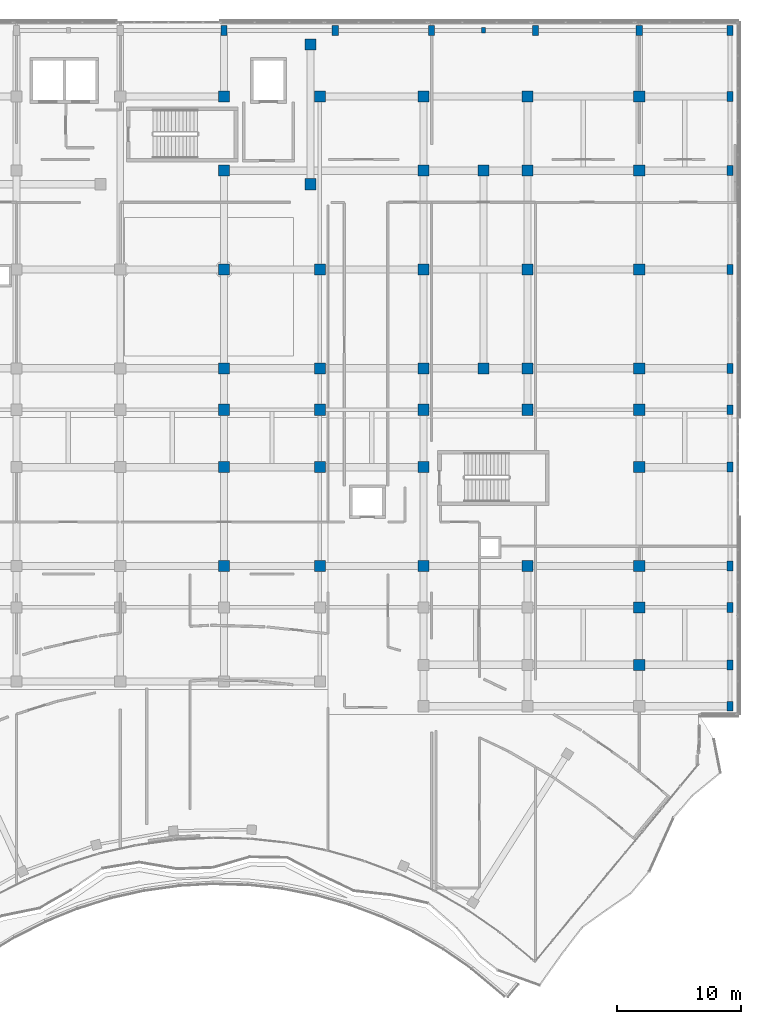
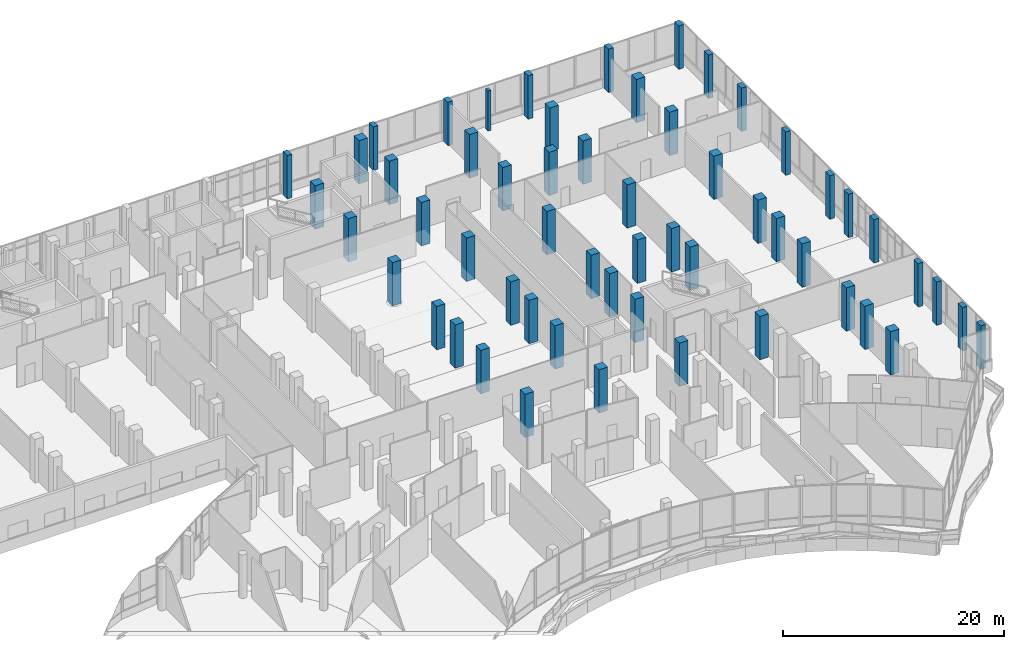
# One storey, part 12 of 168: 56 columns.
"""IFC4 building model written with IfcOpenShell, lengths in metres."""

from ifc_helpers import new_model, si_unit, direction, frame, origin, origin_2d, place, context, subcontext, project, spatial, rectangle, extrude, material, material_profile, profile_set, type_object, element, save


model = new_model("IFC4")

# Units and contexts
model_context = context("Model", 3, precision=1e-05, world=origin(), true_north=direction((0.0, 1.0)))
body_context = subcontext(model_context, "Body", "Model", "MODEL_VIEW")
ifc_project = project(units=[si_unit("LENGTHUNIT", "METRE"), si_unit("AREAUNIT", "SQUARE_METRE"), si_unit("VOLUMEUNIT", "CUBIC_METRE"), si_unit("PLANEANGLEUNIT", "RADIAN"), si_unit("MASSUNIT", "GRAM", prefix="KILO")], contexts=[model_context])

# Site, building, storey
site_placement = place(None, origin())
site = spatial("IfcSite", under=ifc_project, at=site_placement, CompositionType="ELEMENT")
building_placement = place(site_placement, origin())
building = spatial("IfcBuilding", under=site, at=building_placement, Name="Selatvlak General Hospital", CompositionType="ELEMENT")
storey_placement = place(building_placement, frame((0.0, 0.0, 5.39990234375)))
storey = spatial("IfcBuildingStorey", under=building, at=storey_placement, Name="L01", CompositionType="ELEMENT", Elevation=5.39990234375)

# Columns
ifc_material_1 = material(Name="Concrete C40/50", Category="concrete")
ifc_material_profile_1 = material_profile(ifc_material_1, rectangle(XDim=0.300048828125, YDim=0.449951171875, at=origin_2d()), Name="RC-PIL 450x300")
ifc_profile_set_1 = profile_set([ifc_material_profile_1], Name="Concrete C40/50")
column_type_1 = type_object("IfcColumnType", Name="COL-PIL45", PredefinedType="PILASTER", material=ifc_profile_set_1)
column_placement = place(storey_placement, frame((161.39990234375, 119.35009765625, 0.0), z_axis=(0.0, 0.0, 1.0), x_axis=(1.0, 0.0, 0.0)))
element("IfcColumn", 1, at=column_placement, inside=storey, type_object=column_type_1, Name="Inboard core pilaster 6 on L01", PredefinedType="PILASTER", context=body_context, shape_type="SweptSolid", body=[
    extrude(rectangle(XDim=0.300048828125, YDim=0.449951171875, at=origin_2d()), origin(), (0.0, 0.0, 1.0), 4.445068359375),
])
ifc_material_2 = material(Name="Concrete C50/60", Category="concrete")
ifc_material_profile_2 = material_profile(ifc_material_2, rectangle(XDim=0.5, YDim=0.800048828125, at=origin_2d()), Name="RC-COL 800x500")
ifc_profile_set_2 = profile_set([ifc_material_profile_2], Name="Concrete C50/60")
column_type_2 = type_object("IfcColumnType", Name="COL-RC85", PredefinedType="COLUMN", material=ifc_profile_set_2)
for number, where, z_axis, x_axis, name in (
    (2, (149.39990234375, 119.35009765625, 0.0), (0.0, 0.0, 1.0), (1.0, 0.0, 0.0), "Column 122 on L01"),
    (3, (157.199951171875, 119.35009765625, 0.0), (0.0, 0.0, 1.0), (1.0, 0.0, 0.0), "Column 123 on L01"),
    (4, (165.60009765625, 119.35009765625, 0.0), (0.0, 0.0, 1.0), (1.0, 0.0, 0.0), "Column 124 on L01"),
    (5, (174.0, 119.35009765625, 0.0), (0.0, 0.0, 1.0), (1.0, 0.0, 0.0), "Column 125 on L01"),
    (6, (181.35009765625, 119.35009765625, 0.0), (0.0, 0.0, 1.0), (1.0, 0.0, 0.0), "Column 126 on L01"),
    (7, (140.39990234375, 119.35009765625, 0.0), (0.0, 0.0, 1.0), (1.0, 0.0, 0.0), "Column 264 on L01"),
    (8, (181.35009765625, 64.64990234375, 0.0), (0.0, 0.0, 1.0), (1.0, 0.0, 0.0), "Column 304 on L01"),
    (9, (181.35009765625, 68.0, 0.0), (0.0, 0.0, 1.0), (1.0, 0.0, 0.0), "Column 305 on L01"),
    (10, (181.35009765625, 72.64990234375, 0.0), (0.0, 0.0, 1.0), (1.0, 0.0, 0.0), "Column 306 on L01"),
    (11, (181.35009765625, 76.0, 0.0), (0.0, 0.0, 1.0), (1.0, 0.0, 0.0), "Column 307 on L01"),
    (12, (181.35009765625, 84.0, 0.0), (0.0, 0.0, 1.0), (1.0, 0.0, 0.0), "Column 308 on L01"),
    (13, (181.35009765625, 88.64990234375, 0.0), (0.0, 0.0, 1.0), (1.0, 0.0, 0.0), "Column 309 on L01"),
    (14, (181.35009765625, 92.0, 0.0), (0.0, 0.0, 1.0), (1.0, 0.0, 0.0), "Column 310 on L01"),
    (15, (181.35009765625, 100.0, 0.0), (0.0, 0.0, 1.0), (1.0, 0.0, 0.0), "Column 311 on L01"),
    (16, (181.35009765625, 108.0, 0.0), (0.0, 0.0, 1.0), (1.0, 0.0, 0.0), "Column 312 on L01"),
    (17, (181.35009765625, 114.0, 0.0), (0.0, 0.0, 1.0), (1.0, 0.0, 0.0), "Column 313 on L01"),
):
    element("IfcColumn", number, at=place(storey_placement, frame(where, z_axis=z_axis, x_axis=x_axis)), inside=storey, type_object=column_type_2, Name=name, PredefinedType="COLUMN", context=body_context, shape_type="SweptSolid", body=[
        extrude(rectangle(XDim=0.5, YDim=0.800048828125, at=origin_2d()), origin(), (0.0, 0.0, 1.0), 4.800048828125),
    ])
ifc_material_profile_3 = material_profile(ifc_material_2, rectangle(XDim=0.89990234375, YDim=0.89990234375, at=origin_2d()), Name="RC-COL 900x900")
ifc_profile_set_3 = profile_set([ifc_material_profile_3], Name="Concrete C50/60")
column_type_3 = type_object("IfcColumnType", Name="COL-RC90", PredefinedType="COLUMN", material=ifc_profile_set_3)
for number, where, z_axis, x_axis, name in (
    (18, (147.39990234375, 106.89990234375, 0.0), (0.0, 0.0, 1.0), (1.0, 0.0, 0.0), "Column 056 on L01"),
    (19, (147.39990234375, 118.199951171875, 0.0), (0.0, 0.0, 1.0), (1.0, 0.0, 0.0), "Column 059 on L01"),
    (20, (161.39990234375, 92.0, 0.0), (0.0, 0.0, 1.0), (1.0, 0.0, 0.0), "Column 113 on L01"),
    (21, (161.39990234375, 108.0, 0.0), (0.0, 0.0, 1.0), (1.0, 0.0, 0.0), "Column 114 on L01"),
    (22, (140.39990234375, 76.0, 0.0), (0.0, 0.0, 1.0), (1.0, 0.0, 0.0), "Column 257 on L01"),
    (23, (140.39990234375, 84.0, 0.0), (0.0, 0.0, 1.0), (1.0, 0.0, 0.0), "Column 258 on L01"),
    (24, (140.39990234375, 88.64990234375, 0.0), (0.0, 0.0, 1.0), (1.0, 0.0, 0.0), "Column 259 on L01"),
    (25, (140.39990234375, 92.0, 0.0), (0.0, 0.0, 1.0), (1.0, 0.0, 0.0), "Column 260 on L01"),
    (26, (140.39990234375, 100.0, 0.0), (0.0, 0.0, 1.0), (1.0, 0.0, 0.0), "Column 261 on L01"),
    (27, (140.39990234375, 108.0, 0.0), (0.0, 0.0, 1.0), (1.0, 0.0, 0.0), "Column 262 on L01"),
    (28, (140.39990234375, 114.0, 0.0), (0.0, 0.0, 1.0), (1.0, 0.0, 0.0), "Column 263 on L01"),
    (29, (148.14990234375, 76.0, 0.0), (0.0, 0.0, 1.0), (1.0, 0.0, 0.0), "Column 268 on L01"),
    (30, (148.14990234375, 84.0, 0.0), (0.0, 0.0, 1.0), (1.0, 0.0, 0.0), "Column 269 on L01"),
    (31, (148.14990234375, 88.64990234375, 0.0), (0.0, 0.0, 1.0), (1.0, 0.0, 0.0), "Column 270 on L01"),
    (32, (148.14990234375, 92.0, 0.0), (0.0, 0.0, 1.0), (1.0, 0.0, 0.0), "Column 271 on L01"),
    (33, (148.14990234375, 100.0, 0.0), (0.0, 0.0, 1.0), (1.0, 0.0, 0.0), "Column 272 on L01"),
    (34, (148.14990234375, 114.0, 0.0), (0.0, 0.0, 1.0), (1.0, 0.0, 0.0), "Column 273 on L01"),
    (35, (156.550048828125, 76.0, 0.0), (0.0, 0.0, 1.0), (1.0, 0.0, 0.0), "Column 277 on L01"),
    (36, (156.550048828125, 84.0, 0.0), (0.0, 0.0, 1.0), (1.0, 0.0, 0.0), "Column 278 on L01"),
    (37, (156.550048828125, 88.64990234375, 0.0), (0.0, 0.0, 1.0), (1.0, 0.0, 0.0), "Column 279 on L01"),
    (38, (156.550048828125, 92.0, 0.0), (0.0, 0.0, 1.0), (1.0, 0.0, 0.0), "Column 280 on L01"),
    (39, (156.550048828125, 100.0, 0.0), (0.0, 0.0, 1.0), (1.0, 0.0, 0.0), "Column 281 on L01"),
    (40, (156.550048828125, 108.0, 0.0), (0.0, 0.0, 1.0), (1.0, 0.0, 0.0), "Column 282 on L01"),
    (41, (156.550048828125, 114.0, 0.0), (0.0, 0.0, 1.0), (1.0, 0.0, 0.0), "Column 283 on L01"),
    (42, (164.949951171875, 76.0, 0.0), (0.0, 0.0, 1.0), (1.0, 0.0, 0.0), "Column 287 on L01"),
    (43, (164.949951171875, 88.64990234375, 0.0), (0.0, 0.0, 1.0), (1.0, 0.0, 0.0), "Column 288 on L01"),
    (44, (164.949951171875, 92.0, 0.0), (0.0, 0.0, 1.0), (1.0, 0.0, 0.0), "Column 289 on L01"),
    (45, (164.949951171875, 100.0, 0.0), (0.0, 0.0, 1.0), (1.0, 0.0, 0.0), "Column 290 on L01"),
    (46, (164.949951171875, 108.0, 0.0), (0.0, 0.0, 1.0), (1.0, 0.0, 0.0), "Column 291 on L01"),
    (47, (164.949951171875, 114.0, 0.0), (0.0, 0.0, 1.0), (1.0, 0.0, 0.0), "Column 292 on L01"),
    (48, (174.0, 68.0, 0.0), (0.0, 0.0, 1.0), (1.0, 0.0, 0.0), "Column 295 on L01"),
    (49, (174.0, 72.64990234375, 0.0), (0.0, 0.0, 1.0), (1.0, 0.0, 0.0), "Column 296 on L01"),
    (50, (174.0, 76.0, 0.0), (0.0, 0.0, 1.0), (1.0, 0.0, 0.0), "Column 297 on L01"),
    (51, (174.0, 84.0, 0.0), (0.0, 0.0, 1.0), (1.0, 0.0, 0.0), "Column 298 on L01"),
    (52, (174.0, 88.64990234375, 0.0), (0.0, 0.0, 1.0), (1.0, 0.0, 0.0), "Column 299 on L01"),
    (53, (174.0, 92.0, 0.0), (0.0, 0.0, 1.0), (1.0, 0.0, 0.0), "Column 300 on L01"),
    (54, (174.0, 100.0, 0.0), (0.0, 0.0, 1.0), (1.0, 0.0, 0.0), "Column 301 on L01"),
    (55, (174.0, 108.0, 0.0), (0.0, 0.0, 1.0), (1.0, 0.0, 0.0), "Column 302 on L01"),
    (56, (174.0, 114.0, 0.0), (0.0, 0.0, 1.0), (1.0, 0.0, 0.0), "Column 303 on L01"),
):
    element("IfcColumn", number, at=place(storey_placement, frame(where, z_axis=z_axis, x_axis=x_axis)), inside=storey, type_object=column_type_3, Name=name, PredefinedType="COLUMN", context=body_context, shape_type="SweptSolid", body=[
        extrude(rectangle(XDim=0.89990234375, YDim=0.89990234375, at=origin_2d()), origin(), (0.0, 0.0, 1.0), 4.800048828125),
    ])

save(model, "model.ifc")
